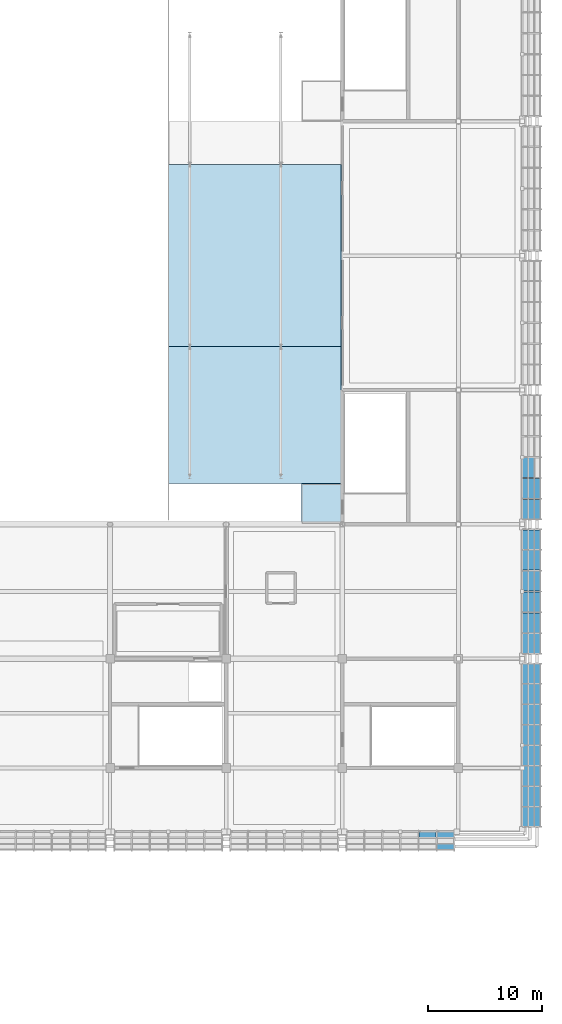
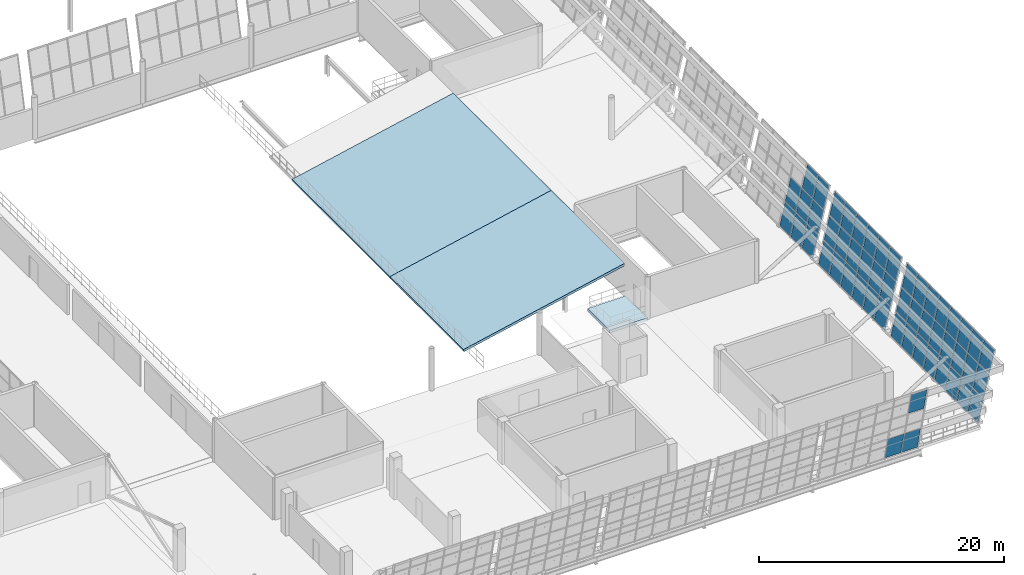
# One storey, part 114 of 157: 53 plates, 3 slabs, 4 elements without a shape of their own.
"""IFC4 building model written with IfcOpenShell, lengths in metres."""

import ifcopenshell
import ifcopenshell.guid

model = None  # the IFC model being written
_history = None  # IfcOwnerHistory: only IFC2X3 demands one
_inside = {}  # id of a spatial element -> (the spatial element, [elements in it])
_under = {}  # id of a project, library or spatial element -> (it, [spatial elements below it])
_declared = {}  # id of a project -> (the project, [libraries it declares])
_typed = {}  # id of a type object -> (the type object, [elements of that type])
_made_of = {}  # id of a material, layer set ... -> (it, [elements and type objects made of it])


def new_model(schema):
    """Start an empty IFC model of exactly this schema.

    Asked for "IFC4X3", IfcOpenShell would pick the latest addendum, in which some entities
    have other attributes; the version numbers below select the first issue.
    IFC2X3 requires an IfcOwnerHistory on every rooted entity: one is made here for all.
    """
    global model, _history
    if schema == "IFC4X3":
        model = ifcopenshell.file(schema_version=(4, 3, 0, 0))
    else:
        model = ifcopenshell.file(schema=schema)
    _inside.clear()
    _under.clear()
    _declared.clear()
    _typed.clear()
    _made_of.clear()
    _history = None
    if model.schema == "IFC2X3":
        org = make("IfcOrganization", Name="unknown")
        user = make(
            "IfcPersonAndOrganization",
            ThePerson=make("IfcPerson", FamilyName="unknown"),
            TheOrganization=org,
        )
        app = make(
            "IfcApplication",
            ApplicationDeveloper=org,
            Version="unknown",
            ApplicationFullName="unknown",
            ApplicationIdentifier="unknown",
        )
        _history = make(
            "IfcOwnerHistory",
            OwningUser=user,
            OwningApplication=app,
            ChangeAction="ADDED",
            CreationDate=0,
        )
    return model


def make(cls, **values):
    """One entity of the class cls with the attributes given. An attribute that is None is left unset."""
    return model.create_entity(
        cls, **{name: value for name, value in values.items() if value is not None}
    )


def rooted(cls, **values):
    """An entity with a GlobalId (a new one), such as an element, a storey or a relation."""
    return make(cls, GlobalId=ifcopenshell.guid.new(), OwnerHistory=_history, **values)


def si_unit(unit_type, name, prefix=None):
    """IfcSIUnit, for example si_unit("LENGTHUNIT", "METRE", prefix="MILLI")."""
    return make("IfcSIUnit", UnitType=unit_type, Prefix=prefix, Name=name)


def assignment(units):
    """IfcUnitAssignment: the units of a project."""
    return None if units is None else make("IfcUnitAssignment", Units=units)


def point(xyz):
    """IfcCartesianPoint."""
    return None if xyz is None else make("IfcCartesianPoint", Coordinates=xyz)


def direction(xyz):
    """IfcDirection."""
    return None if xyz is None else make("IfcDirection", DirectionRatios=xyz)


def frame(location, z_axis=None, x_axis=None):
    """IfcAxis2Placement3D, a coordinate frame: its origin and axes. An axis left out is left unset."""
    return make(
        "IfcAxis2Placement3D",
        Location=point(location),
        Axis=direction(z_axis),
        RefDirection=direction(x_axis),
    )


def origin():
    """The frame at (0, 0, 0) with its axes left unset."""
    return frame((0.0, 0.0, 0.0))


def place(relative_to, where):
    """IfcLocalPlacement: puts the frame where relative to a parent placement (None: the world)."""
    return make(
        "IfcLocalPlacement", PlacementRelTo=relative_to, RelativePlacement=where
    )


def context(
    kind, dimensions, precision=None, world=None, true_north=None, identifier=None
):
    """IfcGeometricRepresentationContext, for example the 3D "Model" context."""
    return make(
        "IfcGeometricRepresentationContext",
        ContextIdentifier=identifier,
        ContextType=kind,
        CoordinateSpaceDimension=dimensions,
        Precision=precision,
        WorldCoordinateSystem=world,
        TrueNorth=true_north,
    )


def subcontext(parent, identifier, kind, view, scale=None):
    """IfcGeometricRepresentationSubContext, for example "Body" below "Model"."""
    return make(
        "IfcGeometricRepresentationSubContext",
        ContextIdentifier=identifier,
        ContextType=kind,
        ParentContext=parent,
        TargetScale=scale,
        TargetView=view,
    )


def project(units=None, contexts=None):
    """IfcProject with its units and contexts."""
    return rooted(
        "IfcProject",
        Name="project",
        RepresentationContexts=contexts,
        UnitsInContext=assignment(units),
    )


def spatial(cls, under=None, at=None, **own):
    """A site, building, storey or space (cls), placed at a placement, below another one or the project."""
    s = rooted(cls, ObjectPlacement=at, **own)
    if under is not None:
        _under.setdefault(under.id(), (under, []))[1].append(s)
    return s


def polyline(points):
    """IfcPolyline through the points."""
    return make("IfcPolyline", Points=[point(p) for p in points])


def outline(outer, holes=None, kind="AREA"):
    """IfcArbitraryClosedProfileDef: a profile drawn as a closed curve; with holes, ...WithVoids."""
    if holes is None:
        return make("IfcArbitraryClosedProfileDef", ProfileType=kind, OuterCurve=outer)
    return make(
        "IfcArbitraryProfileDefWithVoids",
        ProfileType=kind,
        OuterCurve=outer,
        InnerCurves=holes,
    )


def extrude(swept, where, along, depth):
    """IfcExtrudedAreaSolid: the profile swept, set in the frame where, extruded along a direction by depth."""
    return make(
        "IfcExtrudedAreaSolid",
        SweptArea=swept,
        Position=where,
        ExtrudedDirection=direction(along),
        Depth=depth,
    )


def shape(context_of_items, identifier, shape_type, items):
    """IfcShapeRepresentation: the items that make up one representation, for example the "Body"."""
    return make(
        "IfcShapeRepresentation",
        ContextOfItems=context_of_items,
        RepresentationIdentifier=identifier,
        RepresentationType=shape_type,
        Items=items,
    )


def material(Name=None, Category=None):
    """IfcMaterial."""
    return make("IfcMaterial", Name=Name, Category=Category)


def layer(
    of_material, thickness, ventilated=None, Name=None, Category=None, Priority=None
):
    """IfcMaterialLayer: one layer of a wall or slab, of a material (None: an air gap)."""
    return make(
        "IfcMaterialLayer",
        Material=of_material,
        LayerThickness=thickness,
        IsVentilated=ventilated,
        Name=Name,
        Category=Category,
        Priority=Priority,
    )


def layer_set(layers, Name=None):
    """IfcMaterialLayerSet."""
    return make("IfcMaterialLayerSet", MaterialLayers=layers, LayerSetName=Name)


def made_of(thing, what):
    """Note that an element or type object is made of a material, layer set ...; save() writes the relation."""
    if what is not None:
        _made_of.setdefault(what.id(), (what, []))[1].append(thing)
    return thing


def type_object(cls, material=None, **own):
    """A type object (cls), such as IfcWallType, which elements share."""
    return made_of(rooted(cls, **own), material)


def element(
    cls,
    number,
    at=None,
    inside=None,
    cuts=None,
    type_object=None,
    material=None,
    context=None,
    identifier="Body",
    shape_type=None,
    held_by="IfcProductDefinitionShape",
    body=None,
    shapes=None,
    **own,
):
    """One element of the class cls, such as IfcWall. Its Tag is "e" and its number.

    at: its placement. inside: the storey or other place that contains it. cuts: it is an
    opening in that element (IfcRelVoidsElement). A single representation is given by context,
    identifier, shape_type and body (its items); several are given by shapes. held_by: the class
    of the entity that holds the representations. save() writes the other relations.
    """
    e = rooted(cls, Tag="e%d" % number, ObjectPlacement=at, **own)
    if body is not None:
        shapes = [shape(context, identifier, shape_type, body)]
    if shapes is not None:
        e.Representation = make(held_by, Representations=shapes)
    if inside is not None:
        _inside.setdefault(inside.id(), (inside, []))[1].append(e)
    if cuts is not None:
        rooted(
            "IfcRelVoidsElement", RelatingBuildingElement=cuts, RelatedOpeningElement=e
        )
    if type_object is not None:
        _typed.setdefault(type_object.id(), (type_object, []))[1].append(e)
    return made_of(e, material)


def aggregate(whole, parts):
    """IfcRelAggregates: a whole, such as a stair, and the parts it consists of."""
    return rooted("IfcRelAggregates", RelatingObject=whole, RelatedObjects=parts)


def save(model, path):
    """Write the relations noted so far, then the file.

    IfcRelAggregates (storeys below a building ...), IfcRelContainedInSpatialStructure (elements
    in a storey), IfcRelDefinesByType, IfcRelAssociatesMaterial and IfcRelDeclares: one each for
    every whole, place, type object, material and project.
    """
    for whole, parts in _under.values():
        aggregate(whole, parts)
    for where, things in _inside.values():
        rooted(
            "IfcRelContainedInSpatialStructure",
            RelatedElements=things,
            RelatingStructure=where,
        )
    for kind, things in _typed.values():
        rooted("IfcRelDefinesByType", RelatedObjects=things, RelatingType=kind)
    for what, things in _made_of.values():
        rooted("IfcRelAssociatesMaterial", RelatedObjects=things, RelatingMaterial=what)
    for by, libraries in _declared.values():
        rooted("IfcRelDeclares", RelatingContext=by, RelatedDefinitions=libraries)
    model.write(path)


model = new_model("IFC4")

# Units and contexts
model_context = context("Model", 3, precision=1e-05, world=origin(), true_north=direction((0.0, 1.0)))
body_context = subcontext(model_context, "Body", "Model", "MODEL_VIEW")
ifc_project = project(units=[si_unit("LENGTHUNIT", "METRE"), si_unit("AREAUNIT", "SQUARE_METRE"), si_unit("VOLUMEUNIT", "CUBIC_METRE"), si_unit("PLANEANGLEUNIT", "RADIAN"), si_unit("MASSUNIT", "GRAM", prefix="KILO")], contexts=[model_context])

# Site, building, storey
site_placement = place(None, origin())
site = spatial("IfcSite", under=ifc_project, at=site_placement, CompositionType="ELEMENT")
building_placement = place(site_placement, origin())
building = spatial("IfcBuilding", under=site, at=building_placement, Name="Brelvane Convention Centre", CompositionType="ELEMENT")
storey_placement = place(building_placement, frame((0.0, 0.0, 10.800048828125)))
storey = spatial("IfcBuildingStorey", under=building, at=storey_placement, Name="L02", CompositionType="ELEMENT", Elevation=10.800048828125)

# Curtain wall, plates
ifc_material_1 = material(Name="Anodised Aluminium Alloy 6063-T6", Category="aluminium")
curtain_wall_type_1 = type_object("IfcCurtainWallType", Name="Curtain Wall CW-PLEN-E", PredefinedType="USERDEFINED", material=ifc_material_1)
curtain_wall_1_placement = place(storey_placement, origin())
curtain_wall_1 = element("IfcCurtainWall", 1, at=curtain_wall_1_placement, inside=storey, type_object=curtain_wall_type_1, Name="Curtain Wall CW-PLEN-E L02-HULL-E-L02-1", ObjectType="UNITISED", PredefinedType="USERDEFINED")
ifc_material_2 = material(Name="Double Glazed Low-E Laminated Unit")
ifc_layer_1 = layer(ifc_material_2, 0.031982421875)
ifc_layer_set_1 = layer_set([ifc_layer_1], Name="Double Glazed Low-E Laminated Unit")
plate_type_1 = type_object("IfcPlateType", Name="Curtain Panel CW-PG1", PredefinedType="CURTAIN_PANEL", material=ifc_layer_set_1)
plate_1_placement = place(storey_placement, frame((230.543701171875, 14.074951171875, 2.318359375), z_axis=(-0.973564841765, 0.0, 0.228410811652), x_axis=(0.0, 1.0, 0.0)))
plate_1 = element("IfcPlate", 2, at=plate_1_placement, type_object=plate_type_1, Name="CW-PLEN-E panel 1.2", PredefinedType="CURTAIN_PANEL", context=body_context, shape_type="SweptSolid", body=[
    extrude(outline(polyline([(0.0, 0.0), (1.6875, 0.0), (1.6875, -2.2734786747615403), (0.0, -2.2734786747615403), (0.0, 0.0)])), origin(), (0.0, 0.0, -1.0), 0.031982421875),
])
plate_2_placement = place(storey_placement, frame((231.079345703125, 14.074951171875, 4.6015625), z_axis=(-0.973575767729, 0.0, 0.228364236452), x_axis=(0.0, 1.0, 0.0)))
plate_2 = element("IfcPlate", 3, at=plate_2_placement, type_object=plate_type_1, Name="CW-PLEN-E panel 1.3", PredefinedType="CURTAIN_PANEL", context=body_context, shape_type="SweptSolid", body=[
    extrude(outline(polyline([(0.0, 0.0), (1.6875, 0.0), (1.6875, -2.237593486900043), (0.0, -2.237593486900043), (0.0, 0.0)])), origin(), (0.0, 0.0, -1.0), 0.031982421875),
])
plate_3_placement = place(storey_placement, frame((230.543701171875, 15.83740234375, 2.318359375), z_axis=(-0.973564841765, 0.0, 0.228410811652), x_axis=(0.0, 1.0, 0.0)))
plate_3 = element("IfcPlate", 4, at=plate_3_placement, type_object=plate_type_1, Name="CW-PLEN-E panel 2.2", PredefinedType="CURTAIN_PANEL", context=body_context, shape_type="SweptSolid", body=[
    extrude(outline(polyline([(0.0, 0.0), (1.72509765625, 0.0), (1.72509765625, -2.2734786747615408), (0.0, -2.2734786747615408), (0.0, 0.0)])), origin(), (0.0, 0.0, -1.0), 0.031982421875),
])
plate_4_placement = place(storey_placement, frame((231.079345703125, 15.83740234375, 4.6015625), z_axis=(-0.973575767729, 0.0, 0.228364236452), x_axis=(0.0, 1.0, 0.0)))
plate_4 = element("IfcPlate", 5, at=plate_4_placement, type_object=plate_type_1, Name="CW-PLEN-E panel 2.3", PredefinedType="CURTAIN_PANEL", context=body_context, shape_type="SweptSolid", body=[
    extrude(outline(polyline([(0.0, 0.0), (1.72509765625, 0.0), (1.72509765625, -2.237593486900043), (0.0, -2.237593486900043), (0.0, 0.0)])), origin(), (0.0, 0.0, -1.0), 0.031982421875),
])
plate_5_placement = place(storey_placement, frame((230.543701171875, 17.637451171875, 2.318359375), z_axis=(-0.973564841765, 0.0, 0.228410811652), x_axis=(0.0, 1.0, 0.0)))
plate_5 = element("IfcPlate", 6, at=plate_5_placement, type_object=plate_type_1, Name="CW-PLEN-E panel 3.2", PredefinedType="CURTAIN_PANEL", context=body_context, shape_type="SweptSolid", body=[
    extrude(outline(polyline([(0.0, 0.0), (1.72509765625, 0.0), (1.72509765625, -2.2734786747615408), (0.0, -2.2734786747615408), (0.0, 0.0)])), origin(), (0.0, 0.0, -1.0), 0.031982421875),
])
plate_6_placement = place(storey_placement, frame((231.079345703125, 17.637451171875, 4.6015625), z_axis=(-0.973575767729, 0.0, 0.228364236452), x_axis=(0.0, 1.0, 0.0)))
plate_6 = element("IfcPlate", 7, at=plate_6_placement, type_object=plate_type_1, Name="CW-PLEN-E panel 3.3", PredefinedType="CURTAIN_PANEL", context=body_context, shape_type="SweptSolid", body=[
    extrude(outline(polyline([(0.0, 0.0), (1.72509765625, 0.0), (1.72509765625, -2.237593486900043), (0.0, -2.237593486900043), (0.0, 0.0)])), origin(), (0.0, 0.0, -1.0), 0.031982421875),
])
plate_7_placement = place(storey_placement, frame((230.543701171875, 19.4375, 2.318359375), z_axis=(-0.973564841765, 0.0, 0.228410811652), x_axis=(0.0, 1.0, 0.0)))
plate_7 = element("IfcPlate", 8, at=plate_7_placement, type_object=plate_type_1, Name="CW-PLEN-E panel 4.2", PredefinedType="CURTAIN_PANEL", context=body_context, shape_type="SweptSolid", body=[
    extrude(outline(polyline([(0.0, 0.0), (1.72509765625, 0.0), (1.72509765625, -2.2734786747615408), (0.0, -2.2734786747615408), (0.0, 0.0)])), origin(), (0.0, 0.0, -1.0), 0.031982421875),
])
plate_8_placement = place(storey_placement, frame((231.079345703125, 19.4375, 4.6015625), z_axis=(-0.973575767729, 0.0, 0.228364236452), x_axis=(0.0, 1.0, 0.0)))
plate_8 = element("IfcPlate", 9, at=plate_8_placement, type_object=plate_type_1, Name="CW-PLEN-E panel 4.3", PredefinedType="CURTAIN_PANEL", context=body_context, shape_type="SweptSolid", body=[
    extrude(outline(polyline([(0.0, 0.0), (1.72509765625, 0.0), (1.72509765625, -2.237593486900043), (0.0, -2.237593486900043), (0.0, 0.0)])), origin(), (0.0, 0.0, -1.0), 0.031982421875),
])
plate_9_placement = place(storey_placement, frame((230.543701171875, 21.237548828125, 2.318359375), z_axis=(-0.973564841765, 0.0, 0.228410811652), x_axis=(0.0, 1.0, 0.0)))
plate_9 = element("IfcPlate", 10, at=plate_9_placement, type_object=plate_type_1, Name="CW-PLEN-E panel 5.2", PredefinedType="CURTAIN_PANEL", context=body_context, shape_type="SweptSolid", body=[
    extrude(outline(polyline([(0.0, 0.0), (1.724853515625, 0.0), (1.724853515625, -2.2734786747615403), (0.0, -2.2734786747615403), (0.0, 0.0)])), origin(), (0.0, 0.0, -1.0), 0.031982421875),
])
plate_10_placement = place(storey_placement, frame((231.079345703125, 21.237548828125, 4.6015625), z_axis=(-0.973575767729, 0.0, 0.228364236452), x_axis=(0.0, 1.0, 0.0)))
plate_10 = element("IfcPlate", 11, at=plate_10_placement, type_object=plate_type_1, Name="CW-PLEN-E panel 5.3", PredefinedType="CURTAIN_PANEL", context=body_context, shape_type="SweptSolid", body=[
    extrude(outline(polyline([(0.0, 0.0), (1.724853515625, 0.0), (1.724853515625, -2.237593486900043), (0.0, -2.237593486900043), (0.0, 0.0)])), origin(), (0.0, 0.0, -1.0), 0.031982421875),
])
plate_11_placement = place(storey_placement, frame((230.543701171875, 23.03759765625, 2.318359375), z_axis=(-0.973564841765, 0.0, 0.228410811652), x_axis=(0.0, 1.0, 0.0)))
plate_11 = element("IfcPlate", 12, at=plate_11_placement, type_object=plate_type_1, Name="CW-PLEN-E panel 6.2", PredefinedType="CURTAIN_PANEL", context=body_context, shape_type="SweptSolid", body=[
    extrude(outline(polyline([(0.0, 0.0), (1.724853515625, 0.0), (1.724853515625, -2.2734786747615403), (0.0, -2.2734786747615403), (0.0, 0.0)])), origin(), (0.0, 0.0, -1.0), 0.031982421875),
])
plate_12_placement = place(storey_placement, frame((231.079345703125, 23.03759765625, 4.6015625), z_axis=(-0.973575767729, 0.0, 0.228364236452), x_axis=(0.0, 1.0, 0.0)))
plate_12 = element("IfcPlate", 13, at=plate_12_placement, type_object=plate_type_1, Name="CW-PLEN-E panel 6.3", PredefinedType="CURTAIN_PANEL", context=body_context, shape_type="SweptSolid", body=[
    extrude(outline(polyline([(0.0, 0.0), (1.724853515625, 0.0), (1.724853515625, -2.237593486900043), (0.0, -2.237593486900043), (0.0, 0.0)])), origin(), (0.0, 0.0, -1.0), 0.031982421875),
])
plate_13_placement = place(storey_placement, frame((230.543701171875, 24.83740234375, 2.318359375), z_axis=(-0.973564841765, 0.0, 0.228410811652), x_axis=(0.0, 1.0, 0.0)))
plate_13 = element("IfcPlate", 14, at=plate_13_placement, type_object=plate_type_1, Name="CW-PLEN-E panel 7.2", PredefinedType="CURTAIN_PANEL", context=body_context, shape_type="SweptSolid", body=[
    extrude(outline(polyline([(0.0, 0.0), (1.72509765625, 0.0), (1.72509765625, -2.2734786747615408), (0.0, -2.2734786747615408), (0.0, 0.0)])), origin(), (0.0, 0.0, -1.0), 0.031982421875),
])
plate_14_placement = place(storey_placement, frame((231.079345703125, 24.83740234375, 4.6015625), z_axis=(-0.973575767729, 0.0, 0.228364236452), x_axis=(0.0, 1.0, 0.0)))
plate_14 = element("IfcPlate", 15, at=plate_14_placement, type_object=plate_type_1, Name="CW-PLEN-E panel 7.3", PredefinedType="CURTAIN_PANEL", context=body_context, shape_type="SweptSolid", body=[
    extrude(outline(polyline([(0.0, 0.0), (1.72509765625, 0.0), (1.72509765625, -2.237593486900043), (0.0, -2.237593486900043), (0.0, 0.0)])), origin(), (0.0, 0.0, -1.0), 0.031982421875),
])
plate_15_placement = place(storey_placement, frame((230.543701171875, 26.637451171875, 2.318359375), z_axis=(-0.973564841765, 0.0, 0.228410811652), x_axis=(0.0, 1.0, 0.0)))
plate_15 = element("IfcPlate", 16, at=plate_15_placement, type_object=plate_type_1, Name="CW-PLEN-E panel 8.2", PredefinedType="CURTAIN_PANEL", context=body_context, shape_type="SweptSolid", body=[
    extrude(outline(polyline([(0.0, 0.0), (1.6875, 0.0), (1.6875, -2.2734786747615403), (0.0, -2.2734786747615403), (0.0, 0.0)])), origin(), (0.0, 0.0, -1.0), 0.031982421875),
])
plate_16_placement = place(storey_placement, frame((231.079345703125, 26.637451171875, 4.6015625), z_axis=(-0.973575767729, 0.0, 0.228364236452), x_axis=(0.0, 1.0, 0.0)))
plate_16 = element("IfcPlate", 17, at=plate_16_placement, type_object=plate_type_1, Name="CW-PLEN-E panel 8.3", PredefinedType="CURTAIN_PANEL", context=body_context, shape_type="SweptSolid", body=[
    extrude(outline(polyline([(0.0, 0.0), (1.6875, 0.0), (1.6875, -2.237593486900043), (0.0, -2.237593486900043), (0.0, 0.0)])), origin(), (0.0, 0.0, -1.0), 0.031982421875),
])

curtain_wall_2_placement = place(storey_placement, origin())
curtain_wall_2 = element("IfcCurtainWall", 18, at=curtain_wall_2_placement, inside=storey, type_object=curtain_wall_type_1, Name="Curtain Wall CW-PLEN-E L02-HULL-E-L02-2", ObjectType="UNITISED", PredefinedType="USERDEFINED")
plate_17_placement = place(storey_placement, frame((230.543701171875, 29.27490234375, 2.318359375), z_axis=(-0.973564841765, 0.0, 0.228410811652), x_axis=(0.0, 1.0, 0.0)))
plate_17 = element("IfcPlate", 19, at=plate_17_placement, type_object=plate_type_1, Name="CW-PLEN-E panel 1.2", PredefinedType="CURTAIN_PANEL", context=body_context, shape_type="SweptSolid", body=[
    extrude(outline(polyline([(0.0, 0.0), (1.720947265625, 0.0), (1.720947265625, -2.2734786747615408), (0.0, -2.2734786747615408), (0.0, 0.0)])), origin(), (0.0, 0.0, -1.0), 0.031982421875),
])
plate_18_placement = place(storey_placement, frame((231.079345703125, 29.27490234375, 4.6015625), z_axis=(-0.973575767729, 0.0, 0.228364236452), x_axis=(0.0, 1.0, 0.0)))
plate_18 = element("IfcPlate", 20, at=plate_18_placement, type_object=plate_type_1, Name="CW-PLEN-E panel 1.3", PredefinedType="CURTAIN_PANEL", context=body_context, shape_type="SweptSolid", body=[
    extrude(outline(polyline([(0.0, 0.0), (1.720947265625, 0.0), (1.720947265625, -2.237593486900043), (0.0, -2.237593486900043), (0.0, 0.0)])), origin(), (0.0, 0.0, -1.0), 0.031982421875),
])
plate_19_placement = place(storey_placement, frame((230.543701171875, 31.07080078125, 2.318359375), z_axis=(-0.973564841765, 0.0, 0.228410811652), x_axis=(0.0, 1.0, 0.0)))
plate_19 = element("IfcPlate", 21, at=plate_19_placement, type_object=plate_type_1, Name="CW-PLEN-E panel 2.2", PredefinedType="CURTAIN_PANEL", context=body_context, shape_type="SweptSolid", body=[
    extrude(outline(polyline([(0.0, 0.0), (1.75830078125, 0.0), (1.75830078125, -2.2734786747615408), (0.0, -2.2734786747615408), (0.0, 0.0)])), origin(), (0.0, 0.0, -1.0), 0.031982421875),
])
plate_20_placement = place(storey_placement, frame((231.079345703125, 31.07080078125, 4.6015625), z_axis=(-0.973575767729, 0.0, 0.228364236452), x_axis=(0.0, 1.0, 0.0)))
plate_20 = element("IfcPlate", 22, at=plate_20_placement, type_object=plate_type_1, Name="CW-PLEN-E panel 2.3", PredefinedType="CURTAIN_PANEL", context=body_context, shape_type="SweptSolid", body=[
    extrude(outline(polyline([(0.0, 0.0), (1.75830078125, 0.0), (1.75830078125, -2.237593486900043), (0.0, -2.237593486900043), (0.0, 0.0)])), origin(), (0.0, 0.0, -1.0), 0.031982421875),
])
plate_21_placement = place(storey_placement, frame((230.543701171875, 32.904052734375, 2.318359375), z_axis=(-0.973564841765, 0.0, 0.228410811652), x_axis=(0.0, 1.0, 0.0)))
plate_21 = element("IfcPlate", 23, at=plate_21_placement, type_object=plate_type_1, Name="CW-PLEN-E panel 3.2", PredefinedType="CURTAIN_PANEL", context=body_context, shape_type="SweptSolid", body=[
    extrude(outline(polyline([(0.0, 0.0), (1.758544921875, 0.0), (1.758544921875, -2.2734786747615403), (0.0, -2.2734786747615403), (0.0, 0.0)])), origin(), (0.0, 0.0, -1.0), 0.031982421875),
])
plate_22_placement = place(storey_placement, frame((231.079345703125, 32.904052734375, 4.6015625), z_axis=(-0.973575767729, 0.0, 0.228364236452), x_axis=(0.0, 1.0, 0.0)))
plate_22 = element("IfcPlate", 24, at=plate_22_placement, type_object=plate_type_1, Name="CW-PLEN-E panel 3.3", PredefinedType="CURTAIN_PANEL", context=body_context, shape_type="SweptSolid", body=[
    extrude(outline(polyline([(0.0, 0.0), (1.758544921875, 0.0), (1.758544921875, -2.237593486900043), (0.0, -2.237593486900043), (0.0, 0.0)])), origin(), (0.0, 0.0, -1.0), 0.031982421875),
])
plate_23_placement = place(storey_placement, frame((230.543701171875, 34.737548828125, 2.318359375), z_axis=(-0.973564841765, 0.0, 0.228410811652), x_axis=(0.0, 1.0, 0.0)))
plate_23 = element("IfcPlate", 25, at=plate_23_placement, type_object=plate_type_1, Name="CW-PLEN-E panel 4.2", PredefinedType="CURTAIN_PANEL", context=body_context, shape_type="SweptSolid", body=[
    extrude(outline(polyline([(0.0, 0.0), (1.75830078125, 0.0), (1.75830078125, -2.2734786747615408), (0.0, -2.2734786747615408), (0.0, 0.0)])), origin(), (0.0, 0.0, -1.0), 0.031982421875),
])
plate_24_placement = place(storey_placement, frame((231.079345703125, 34.737548828125, 4.6015625), z_axis=(-0.973575767729, 0.0, 0.228364236452), x_axis=(0.0, 1.0, 0.0)))
plate_24 = element("IfcPlate", 26, at=plate_24_placement, type_object=plate_type_1, Name="CW-PLEN-E panel 4.3", PredefinedType="CURTAIN_PANEL", context=body_context, shape_type="SweptSolid", body=[
    extrude(outline(polyline([(0.0, 0.0), (1.75830078125, 0.0), (1.75830078125, -2.237593486900043), (0.0, -2.237593486900043), (0.0, 0.0)])), origin(), (0.0, 0.0, -1.0), 0.031982421875),
])
plate_25_placement = place(storey_placement, frame((230.543701171875, 36.57080078125, 2.318359375), z_axis=(-0.973564841765, 0.0, 0.228410811652), x_axis=(0.0, 1.0, 0.0)))
plate_25 = element("IfcPlate", 27, at=plate_25_placement, type_object=plate_type_1, Name="CW-PLEN-E panel 5.2", PredefinedType="CURTAIN_PANEL", context=body_context, shape_type="SweptSolid", body=[
    extrude(outline(polyline([(0.0, 0.0), (1.75830078125, 0.0), (1.75830078125, -2.2734786747615408), (0.0, -2.2734786747615408), (0.0, 0.0)])), origin(), (0.0, 0.0, -1.0), 0.031982421875),
])
plate_26_placement = place(storey_placement, frame((231.079345703125, 36.57080078125, 4.6015625), z_axis=(-0.973575767729, 0.0, 0.228364236452), x_axis=(0.0, 1.0, 0.0)))
plate_26 = element("IfcPlate", 28, at=plate_26_placement, type_object=plate_type_1, Name="CW-PLEN-E panel 5.3", PredefinedType="CURTAIN_PANEL", context=body_context, shape_type="SweptSolid", body=[
    extrude(outline(polyline([(0.0, 0.0), (1.75830078125, 0.0), (1.75830078125, -2.237593486900043), (0.0, -2.237593486900043), (0.0, 0.0)])), origin(), (0.0, 0.0, -1.0), 0.031982421875),
])
plate_27_placement = place(storey_placement, frame((230.543701171875, 38.404052734375, 2.318359375), z_axis=(-0.973564841765, 0.0, 0.228410811652), x_axis=(0.0, 1.0, 0.0)))
plate_27 = element("IfcPlate", 29, at=plate_27_placement, type_object=plate_type_1, Name="CW-PLEN-E panel 6.2", PredefinedType="CURTAIN_PANEL", context=body_context, shape_type="SweptSolid", body=[
    extrude(outline(polyline([(0.0, 0.0), (1.720947265625, 0.0), (1.720947265625, -2.2734786747615408), (0.0, -2.2734786747615408), (0.0, 0.0)])), origin(), (0.0, 0.0, -1.0), 0.031982421875),
])
plate_28_placement = place(storey_placement, frame((231.079345703125, 38.404052734375, 4.6015625), z_axis=(-0.973575767729, 0.0, 0.228364236452), x_axis=(0.0, 1.0, 0.0)))
plate_28 = element("IfcPlate", 30, at=plate_28_placement, type_object=plate_type_1, Name="CW-PLEN-E panel 6.3", PredefinedType="CURTAIN_PANEL", context=body_context, shape_type="SweptSolid", body=[
    extrude(outline(polyline([(0.0, 0.0), (1.720947265625, 0.0), (1.720947265625, -2.237593486900043), (0.0, -2.237593486900043), (0.0, 0.0)])), origin(), (0.0, 0.0, -1.0), 0.031982421875),
])

curtain_wall_3_placement = place(storey_placement, origin())
curtain_wall_3 = element("IfcCurtainWall", 31, at=curtain_wall_3_placement, inside=storey, type_object=curtain_wall_type_1, Name="Curtain Wall CW-PLEN-E L02-HULL-E-L02-3", ObjectType="UNITISED", PredefinedType="USERDEFINED")
plate_29_placement = place(storey_placement, frame((230.543701171875, 41.074951171875, 2.318359375), z_axis=(-0.973564841765, 0.0, 0.228410811652), x_axis=(0.0, 1.0, 0.0)))
plate_29 = element("IfcPlate", 32, at=plate_29_placement, type_object=plate_type_1, Name="CW-PLEN-E panel 1.2", PredefinedType="CURTAIN_PANEL", context=body_context, shape_type="SweptSolid", body=[
    extrude(outline(polyline([(0.0, 0.0), (1.720947265625, 0.0), (1.720947265625, -2.2734786747615408), (0.0, -2.2734786747615408), (0.0, 0.0)])), origin(), (0.0, 0.0, -1.0), 0.031982421875),
])
plate_30_placement = place(storey_placement, frame((231.079345703125, 41.074951171875, 4.6015625), z_axis=(-0.973575767729, 0.0, 0.228364236452), x_axis=(0.0, 1.0, 0.0)))
plate_30 = element("IfcPlate", 33, at=plate_30_placement, type_object=plate_type_1, Name="CW-PLEN-E panel 1.3", PredefinedType="CURTAIN_PANEL", context=body_context, shape_type="SweptSolid", body=[
    extrude(outline(polyline([(0.0, 0.0), (1.720947265625, 0.0), (1.720947265625, -2.237593486900043), (0.0, -2.237593486900043), (0.0, 0.0)])), origin(), (0.0, 0.0, -1.0), 0.031982421875),
])
plate_31_placement = place(storey_placement, frame((230.543701171875, 42.870849609375, 2.318359375), z_axis=(-0.973564841765, 0.0, 0.228410811652), x_axis=(0.0, 1.0, 0.0)))
plate_31 = element("IfcPlate", 34, at=plate_31_placement, type_object=plate_type_1, Name="CW-PLEN-E panel 2.2", PredefinedType="CURTAIN_PANEL", context=body_context, shape_type="SweptSolid", body=[
    extrude(outline(polyline([(0.0, 0.0), (1.75830078125, 0.0), (1.75830078125, -2.2734786747615408), (0.0, -2.2734786747615408), (0.0, 0.0)])), origin(), (0.0, 0.0, -1.0), 0.031982421875),
])
plate_32_placement = place(storey_placement, frame((231.079345703125, 42.870849609375, 4.6015625), z_axis=(-0.973575767729, 0.0, 0.228364236452), x_axis=(0.0, 1.0, 0.0)))
plate_32 = element("IfcPlate", 35, at=plate_32_placement, type_object=plate_type_1, Name="CW-PLEN-E panel 2.3", PredefinedType="CURTAIN_PANEL", context=body_context, shape_type="SweptSolid", body=[
    extrude(outline(polyline([(0.0, 0.0), (1.75830078125, 0.0), (1.75830078125, -2.237593486900043), (0.0, -2.237593486900043), (0.0, 0.0)])), origin(), (0.0, 0.0, -1.0), 0.031982421875),
])
plate_33_placement = place(storey_placement, frame((230.543701171875, 44.7041015625, 2.318359375), z_axis=(-0.973564841765, 0.0, 0.228410811652), x_axis=(0.0, 1.0, 0.0)))
plate_33 = element("IfcPlate", 36, at=plate_33_placement, type_object=plate_type_1, Name="CW-PLEN-E panel 3.2", PredefinedType="CURTAIN_PANEL", context=body_context, shape_type="SweptSolid", body=[
    extrude(outline(polyline([(0.0, 0.0), (1.75830078125, 0.0), (1.75830078125, -2.2734786747615408), (0.0, -2.2734786747615408), (0.0, 0.0)])), origin(), (0.0, 0.0, -1.0), 0.031982421875),
])

# Curtain wall, plate
ifc_material_3 = material(Name="Anodised Aluminium Alloy 6063-T6", Category="aluminium")
curtain_wall_type_2 = type_object("IfcCurtainWallType", Name="Curtain Wall CW-HULL-S", PredefinedType="USERDEFINED", material=ifc_material_3)
curtain_wall_4_placement = place(storey_placement, origin())
curtain_wall_4 = element("IfcCurtainWall", 37, at=curtain_wall_4_placement, inside=storey, type_object=curtain_wall_type_2, Name="Curtain Wall CW-HULL-S L02-HULL-S-L02-22", ObjectType="UNITISED", PredefinedType="USERDEFINED")
ifc_material_4 = material(Name="Double Glazed Low-E Laminated Unit")
ifc_layer_2 = layer(ifc_material_4, 0.0380859375)
ifc_layer_set_2 = layer_set([ifc_layer_2], Name="Double Glazed Low-E Laminated Unit")
plate_type_2 = type_object("IfcPlateType", Name="Curtain Panel CW-PG2", PredefinedType="CURTAIN_PANEL", material=ifc_layer_set_2)
plate_34_placement = place(storey_placement, frame((222.526611328125, 12.51953125, 4.606689453125), z_axis=(0.0, 0.973586933466, 0.228316628794), x_axis=(1.0, 0.0, 0.0)))
plate_34 = element("IfcPlate", 38, at=plate_34_placement, type_object=plate_type_2, Name="CW-HULL-S panel 6.3", PredefinedType="CURTAIN_PANEL", context=body_context, shape_type="SweptSolid", body=[
    extrude(outline(polyline([(0.0, 0.0), (1.473388671875, 0.0), (1.473388671875, -2.2220204521674902), (0.0, -2.2220204521674902), (0.0, 0.0)])), origin(), (0.0, 0.0, -1.0), 0.0380859375),
])

# Plate
ifc_material_5 = material(Name="Patinated Copper-Bronze Alloy C22000")
ifc_layer_3 = layer(ifc_material_5, 0.048095703125)
ifc_layer_set_3 = layer_set([ifc_layer_3], Name="Patinated Copper-Bronze Alloy C22000")
plate_type_3 = type_object("IfcPlateType", Name="Curtain Panel CW-PS1", PredefinedType="CURTAIN_PANEL", material=ifc_layer_set_3)
plate_35_placement = place(storey_placement, frame((230.016357421875, 14.074951171875, 0.070068359375), z_axis=(-0.973570076786, 0.0, 0.228388497054), x_axis=(0.0, 1.0, 0.0)))
plate_35 = element("IfcPlate", 39, at=plate_35_placement, type_object=plate_type_3, Name="CW-PLEN-E panel 1.1", PredefinedType="CURTAIN_PANEL", context=body_context, shape_type="SweptSolid", body=[
    extrude(outline(polyline([(0.0, 0.0), (1.6875, 0.0), (1.6875, -2.2373557981982826), (0.0, -2.2373557981982826), (0.0, 0.0)])), origin(), (0.0, 0.0, -1.0), 0.031982421875),
])

plate_36_placement = place(storey_placement, frame((230.016357421875, 15.83740234375, 0.070068359375), z_axis=(-0.973570076786, 0.0, 0.228388497054), x_axis=(0.0, 1.0, 0.0)))
plate_36 = element("IfcPlate", 40, at=plate_36_placement, type_object=plate_type_3, Name="CW-PLEN-E panel 2.1", PredefinedType="CURTAIN_PANEL", context=body_context, shape_type="SweptSolid", body=[
    extrude(outline(polyline([(0.0, 0.0), (1.72509765625, 0.0), (1.72509765625, -2.2373557981982826), (0.0, -2.2373557981982826), (0.0, 0.0)])), origin(), (0.0, 0.0, -1.0), 0.031982421875),
])

plate_37_placement = place(storey_placement, frame((230.016357421875, 17.637451171875, 0.070068359375), z_axis=(-0.973570076786, 0.0, 0.228388497054), x_axis=(0.0, 1.0, 0.0)))
plate_37 = element("IfcPlate", 41, at=plate_37_placement, type_object=plate_type_3, Name="CW-PLEN-E panel 3.1", PredefinedType="CURTAIN_PANEL", context=body_context, shape_type="SweptSolid", body=[
    extrude(outline(polyline([(0.0, 0.0), (1.72509765625, 0.0), (1.72509765625, -2.2373557981982826), (0.0, -2.2373557981982826), (0.0, 0.0)])), origin(), (0.0, 0.0, -1.0), 0.031982421875),
])

plate_38_placement = place(storey_placement, frame((230.016357421875, 19.4375, 0.070068359375), z_axis=(-0.973570076786, 0.0, 0.228388497054), x_axis=(0.0, 1.0, 0.0)))
plate_38 = element("IfcPlate", 42, at=plate_38_placement, type_object=plate_type_3, Name="CW-PLEN-E panel 4.1", PredefinedType="CURTAIN_PANEL", context=body_context, shape_type="SweptSolid", body=[
    extrude(outline(polyline([(0.0, 0.0), (1.72509765625, 0.0), (1.72509765625, -2.2373557981982826), (0.0, -2.2373557981982826), (0.0, 0.0)])), origin(), (0.0, 0.0, -1.0), 0.031982421875),
])

plate_39_placement = place(storey_placement, frame((230.016357421875, 21.237548828125, 0.070068359375), z_axis=(-0.973570076786, 0.0, 0.228388497054), x_axis=(0.0, 1.0, 0.0)))
plate_39 = element("IfcPlate", 43, at=plate_39_placement, type_object=plate_type_3, Name="CW-PLEN-E panel 5.1", PredefinedType="CURTAIN_PANEL", context=body_context, shape_type="SweptSolid", body=[
    extrude(outline(polyline([(0.0, 0.0), (1.724853515625, 0.0), (1.724853515625, -2.237355798198283), (0.0, -2.237355798198283), (0.0, 0.0)])), origin(), (0.0, 0.0, -1.0), 0.031982421875),
])

plate_40_placement = place(storey_placement, frame((230.016357421875, 23.03759765625, 0.070068359375), z_axis=(-0.973570076786, 0.0, 0.228388497054), x_axis=(0.0, 1.0, 0.0)))
plate_40 = element("IfcPlate", 44, at=plate_40_placement, type_object=plate_type_3, Name="CW-PLEN-E panel 6.1", PredefinedType="CURTAIN_PANEL", context=body_context, shape_type="SweptSolid", body=[
    extrude(outline(polyline([(0.0, 0.0), (1.724853515625, 0.0), (1.724853515625, -2.237355798198283), (0.0, -2.237355798198283), (0.0, 0.0)])), origin(), (0.0, 0.0, -1.0), 0.031982421875),
])

plate_41_placement = place(storey_placement, frame((230.016357421875, 24.83740234375, 0.070068359375), z_axis=(-0.973570076786, 0.0, 0.228388497054), x_axis=(0.0, 1.0, 0.0)))
plate_41 = element("IfcPlate", 45, at=plate_41_placement, type_object=plate_type_3, Name="CW-PLEN-E panel 7.1", PredefinedType="CURTAIN_PANEL", context=body_context, shape_type="SweptSolid", body=[
    extrude(outline(polyline([(0.0, 0.0), (1.72509765625, 0.0), (1.72509765625, -2.2373557981982826), (0.0, -2.2373557981982826), (0.0, 0.0)])), origin(), (0.0, 0.0, -1.0), 0.031982421875),
])

plate_42_placement = place(storey_placement, frame((230.016357421875, 26.637451171875, 0.070068359375), z_axis=(-0.973570076786, 0.0, 0.228388497054), x_axis=(0.0, 1.0, 0.0)))
plate_42 = element("IfcPlate", 46, at=plate_42_placement, type_object=plate_type_3, Name="CW-PLEN-E panel 8.1", PredefinedType="CURTAIN_PANEL", context=body_context, shape_type="SweptSolid", body=[
    extrude(outline(polyline([(0.0, 0.0), (1.6875, 0.0), (1.6875, -2.2373557981982826), (0.0, -2.2373557981982826), (0.0, 0.0)])), origin(), (0.0, 0.0, -1.0), 0.031982421875),
])

aggregate(curtain_wall_1, [plate_35, plate_1, plate_2, plate_36, plate_3, plate_4, plate_37, plate_5, plate_6, plate_38, plate_7, plate_8, plate_39, plate_9, plate_10, plate_40, plate_11, plate_12, plate_41, plate_13, plate_14, plate_42, plate_15, plate_16])

plate_43_placement = place(storey_placement, frame((230.016357421875, 29.27490234375, 0.070068359375), z_axis=(-0.973570076786, 0.0, 0.228388497054), x_axis=(0.0, 1.0, 0.0)))
plate_43 = element("IfcPlate", 47, at=plate_43_placement, type_object=plate_type_3, Name="CW-PLEN-E panel 1.1", PredefinedType="CURTAIN_PANEL", context=body_context, shape_type="SweptSolid", body=[
    extrude(outline(polyline([(0.0, 0.0), (1.720947265625, 0.0), (1.720947265625, -2.2373557981982826), (0.0, -2.2373557981982826), (0.0, 0.0)])), origin(), (0.0, 0.0, -1.0), 0.031982421875),
])

plate_44_placement = place(storey_placement, frame((230.016357421875, 31.07080078125, 0.070068359375), z_axis=(-0.973570076786, 0.0, 0.228388497054), x_axis=(0.0, 1.0, 0.0)))
plate_44 = element("IfcPlate", 48, at=plate_44_placement, type_object=plate_type_3, Name="CW-PLEN-E panel 2.1", PredefinedType="CURTAIN_PANEL", context=body_context, shape_type="SweptSolid", body=[
    extrude(outline(polyline([(0.0, 0.0), (1.75830078125, 0.0), (1.75830078125, -2.237355798198283), (0.0, -2.237355798198283), (0.0, 0.0)])), origin(), (0.0, 0.0, -1.0), 0.031982421875),
])

plate_45_placement = place(storey_placement, frame((230.016357421875, 32.904052734375, 0.070068359375), z_axis=(-0.973570076786, 0.0, 0.228388497054), x_axis=(0.0, 1.0, 0.0)))
plate_45 = element("IfcPlate", 49, at=plate_45_placement, type_object=plate_type_3, Name="CW-PLEN-E panel 3.1", PredefinedType="CURTAIN_PANEL", context=body_context, shape_type="SweptSolid", body=[
    extrude(outline(polyline([(0.0, 0.0), (1.758544921875, 0.0), (1.758544921875, -2.2373557981982826), (0.0, -2.2373557981982826), (0.0, 0.0)])), origin(), (0.0, 0.0, -1.0), 0.031982421875),
])

plate_46_placement = place(storey_placement, frame((230.016357421875, 34.737548828125, 0.070068359375), z_axis=(-0.973570076786, 0.0, 0.228388497054), x_axis=(0.0, 1.0, 0.0)))
plate_46 = element("IfcPlate", 50, at=plate_46_placement, type_object=plate_type_3, Name="CW-PLEN-E panel 4.1", PredefinedType="CURTAIN_PANEL", context=body_context, shape_type="SweptSolid", body=[
    extrude(outline(polyline([(0.0, 0.0), (1.75830078125, 0.0), (1.75830078125, -2.237355798198283), (0.0, -2.237355798198283), (0.0, 0.0)])), origin(), (0.0, 0.0, -1.0), 0.031982421875),
])

plate_47_placement = place(storey_placement, frame((230.016357421875, 36.57080078125, 0.070068359375), z_axis=(-0.973570076786, 0.0, 0.228388497054), x_axis=(0.0, 1.0, 0.0)))
plate_47 = element("IfcPlate", 51, at=plate_47_placement, type_object=plate_type_3, Name="CW-PLEN-E panel 5.1", PredefinedType="CURTAIN_PANEL", context=body_context, shape_type="SweptSolid", body=[
    extrude(outline(polyline([(0.0, 0.0), (1.75830078125, 0.0), (1.75830078125, -2.237355798198283), (0.0, -2.237355798198283), (0.0, 0.0)])), origin(), (0.0, 0.0, -1.0), 0.031982421875),
])

plate_48_placement = place(storey_placement, frame((230.016357421875, 38.404052734375, 0.070068359375), z_axis=(-0.973570076786, 0.0, 0.228388497054), x_axis=(0.0, 1.0, 0.0)))
plate_48 = element("IfcPlate", 52, at=plate_48_placement, type_object=plate_type_3, Name="CW-PLEN-E panel 6.1", PredefinedType="CURTAIN_PANEL", context=body_context, shape_type="SweptSolid", body=[
    extrude(outline(polyline([(0.0, 0.0), (1.720947265625, 0.0), (1.720947265625, -2.2373557981982826), (0.0, -2.2373557981982826), (0.0, 0.0)])), origin(), (0.0, 0.0, -1.0), 0.031982421875),
])

aggregate(curtain_wall_2, [plate_43, plate_17, plate_18, plate_44, plate_19, plate_20, plate_45, plate_21, plate_22, plate_46, plate_23, plate_24, plate_47, plate_25, plate_26, plate_48, plate_27, plate_28])

plate_49_placement = place(storey_placement, frame((230.016357421875, 41.074951171875, 0.070068359375), z_axis=(-0.973570076786, 0.0, 0.228388497054), x_axis=(0.0, 1.0, 0.0)))
plate_49 = element("IfcPlate", 53, at=plate_49_placement, type_object=plate_type_3, Name="CW-PLEN-E panel 1.1", PredefinedType="CURTAIN_PANEL", context=body_context, shape_type="SweptSolid", body=[
    extrude(outline(polyline([(0.0, 0.0), (1.720947265625, 0.0), (1.720947265625, -2.2373557981982826), (0.0, -2.2373557981982826), (0.0, 0.0)])), origin(), (0.0, 0.0, -1.0), 0.031982421875),
])

plate_50_placement = place(storey_placement, frame((230.016357421875, 42.870849609375, 0.070068359375), z_axis=(-0.973570076786, 0.0, 0.228388497054), x_axis=(0.0, 1.0, 0.0)))
plate_50 = element("IfcPlate", 54, at=plate_50_placement, type_object=plate_type_3, Name="CW-PLEN-E panel 2.1", PredefinedType="CURTAIN_PANEL", context=body_context, shape_type="SweptSolid", body=[
    extrude(outline(polyline([(0.0, 0.0), (1.75830078125, 0.0), (1.75830078125, -2.237355798198283), (0.0, -2.237355798198283), (0.0, 0.0)])), origin(), (0.0, 0.0, -1.0), 0.031982421875),
])

plate_51_placement = place(storey_placement, frame((230.016357421875, 44.7041015625, 0.070068359375), z_axis=(-0.973570076786, 0.0, 0.228388497054), x_axis=(0.0, 1.0, 0.0)))
plate_51 = element("IfcPlate", 55, at=plate_51_placement, type_object=plate_type_3, Name="CW-PLEN-E panel 3.1", PredefinedType="CURTAIN_PANEL", context=body_context, shape_type="SweptSolid", body=[
    extrude(outline(polyline([(0.0, 0.0), (1.75830078125, 0.0), (1.75830078125, -2.237355798198283), (0.0, -2.237355798198283), (0.0, 0.0)])), origin(), (0.0, 0.0, -1.0), 0.031982421875),
])

aggregate(curtain_wall_3, [plate_49, plate_29, plate_30, plate_50, plate_31, plate_32, plate_51, plate_33])

ifc_material_6 = material(Name="Patinated Copper-Bronze Alloy C22000")
ifc_layer_4 = layer(ifc_material_6, 0.055908203125)
ifc_layer_set_4 = layer_set([ifc_layer_4], Name="Patinated Copper-Bronze Alloy C22000")
plate_type_4 = type_object("IfcPlateType", Name="Curtain Panel CW-PS2", PredefinedType="CURTAIN_PANEL", material=ifc_layer_set_4)
plate_52_placement = place(storey_placement, frame((220.933349609375, 13.581298828125, 0.079833984375), z_axis=(0.0, 0.973562505213, 0.228420770606), x_axis=(1.0, 0.0, 0.0)))
plate_52 = element("IfcPlate", 56, at=plate_52_placement, type_object=plate_type_4, Name="CW-HULL-S panel 5.1", PredefinedType="CURTAIN_PANEL", context=body_context, shape_type="SweptSolid", body=[
    extrude(outline(polyline([(0.0, 0.0), (1.513427734375, 0.0), (1.513427734375, -2.2220762062447244), (0.0, -2.2220762062447244), (0.0, 0.0)])), origin(), (0.0, 0.0, -1.0), 0.0380859375),
])

plate_53_placement = place(storey_placement, frame((222.526611328125, 13.581298828125, 0.079833984375), z_axis=(0.0, 0.973562505213, 0.228420770606), x_axis=(1.0, 0.0, 0.0)))
plate_53 = element("IfcPlate", 57, at=plate_53_placement, type_object=plate_type_4, Name="CW-HULL-S panel 6.1", PredefinedType="CURTAIN_PANEL", context=body_context, shape_type="SweptSolid", body=[
    extrude(outline(polyline([(0.0, 0.0), (1.473388671875, 0.0), (1.473388671875, -2.222076206244725), (0.0, -2.222076206244725), (0.0, 0.0)])), origin(), (0.0, 0.0, -1.0), 0.0380859375),
])

aggregate(curtain_wall_4, [plate_52, plate_53, plate_34])

# Slabs
ifc_material_7 = material(Name="Concrete M40", Category="concrete")
ifc_layer_5 = layer(ifc_material_7, 0.280029296875)
ifc_layer_set_5 = layer_set([ifc_layer_5], Name="Concrete M40")
slab_type_1 = type_object("IfcSlabType", Name="Structural Slab SL-FLR-280", PredefinedType="FLOOR", material=ifc_layer_set_5)
slab_1_placement = place(storey_placement, frame((0.0, 0.0, -0.280029296875)))
element("IfcSlab", 58, at=slab_1_placement, inside=storey, type_object=slab_type_1, Name="L02 Floor Slab PLEN-VOM2-S", PredefinedType="FLOOR", context=body_context, shape_type="SweptSolid", body=[
    extrude(outline(polyline([(210.60009765625, 40.60009765625), (214.199951171875, 40.60009765625), (214.199951171875, 44.199951171875), (210.60009765625, 44.199951171875), (210.60009765625, 40.60009765625)])), origin(), (0.0, 0.0, 1.0), 0.280029296875),
])
ifc_material_8 = material(Name="Concrete M40", Category="concrete")
ifc_layer_6 = layer(ifc_material_8, 0.239990234375)
ifc_layer_set_6 = layer_set([ifc_layer_6], Name="Concrete M40")
slab_type_2 = type_object("IfcSlabType", Name="Structural Slab SL-TIER-240", PredefinedType="USERDEFINED", material=ifc_layer_set_6)
slab_2_placement = place(storey_placement, frame((198.89990234375, 44.199951171875, 0.0), z_axis=(-0.210933474626, 0.0, 0.97750041907), x_axis=(0.97750041907, 0.0, 0.210933474626)))
element("IfcSlab", 59, at=slab_2_placement, inside=storey, type_object=slab_type_2, Name="Plenary Hall Upper Balcony Seating Tier S", ObjectType="SEATING TIER", PredefinedType="USERDEFINED", context=body_context, shape_type="SweptSolid", body=[
    extrude(outline(polyline([(0.0, 0.0), (15.550065264380896, 0.0), (15.550065264380896, 12.0), (0.0, 12.0), (0.0, 0.0)])), origin(), (0.0, 0.0, -1.0), 0.239990234375),
])
slab_3_placement = place(storey_placement, frame((198.89990234375, 56.199951171875, 0.0), z_axis=(-0.210933474626, 0.0, 0.97750041907), x_axis=(0.97750041907, 0.0, 0.210933474626)))
element("IfcSlab", 60, at=slab_3_placement, inside=storey, type_object=slab_type_2, Name="Plenary Hall Upper Balcony Seating Tier M", ObjectType="SEATING TIER", PredefinedType="USERDEFINED", context=body_context, shape_type="SweptSolid", body=[
    extrude(outline(polyline([(0.0, 0.0), (15.550065264380896, 0.0), (15.550065264380896, 16.0), (0.0, 16.0), (0.0, 0.0)])), origin(), (0.0, 0.0, -1.0), 0.239990234375),
])

save(model, "model.ifc")
